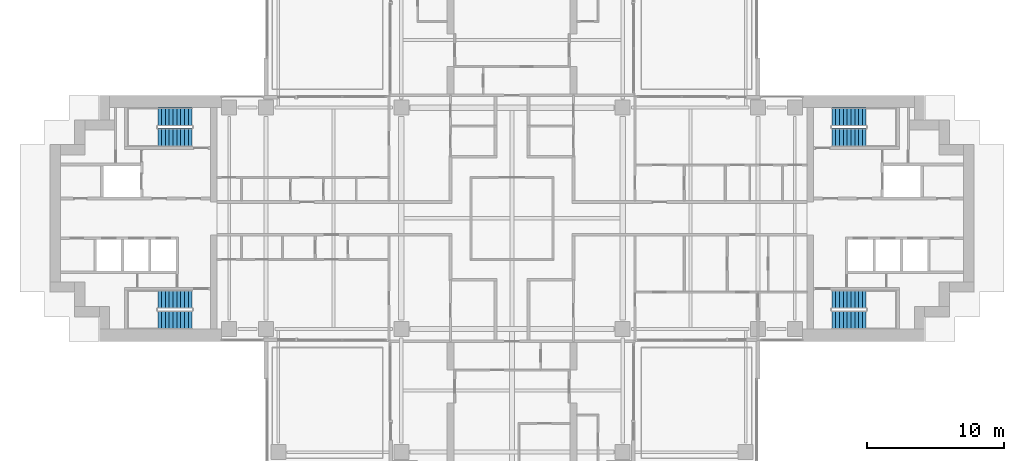
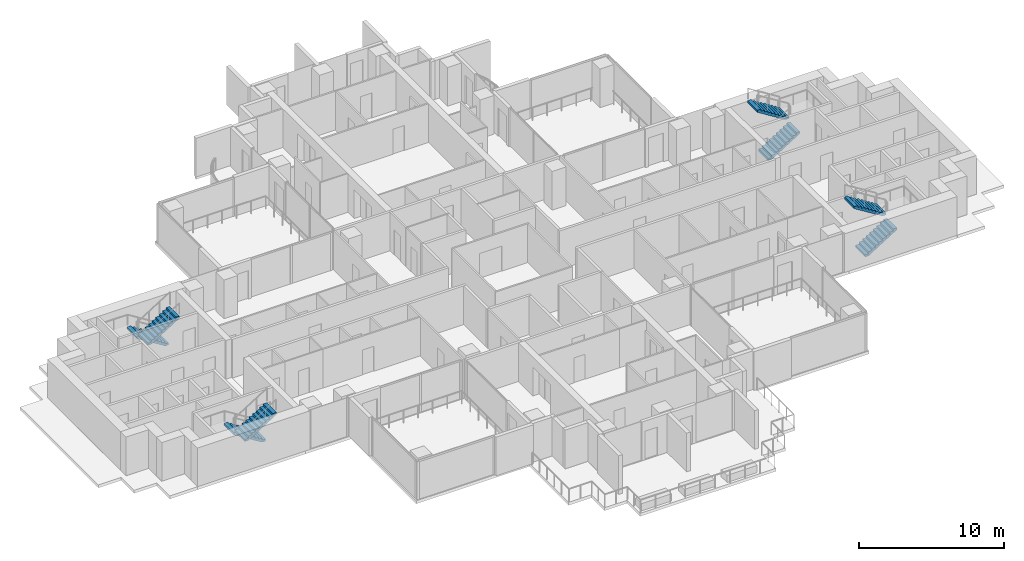
# One storey, part 17 of 20: 8 stair flights, 4 elements without a shape of their own.
"""IFC4 building model written with IfcOpenShell, lengths in metres."""

from ifc_helpers import new_model, si_unit, direction, frame, origin, place, context, subcontext, project, spatial, polyline, outline, extrude, material, type_object, element, aggregate, save


model = new_model("IFC4")

# Units and contexts
model_context = context("Model", 3, precision=1e-05, world=origin(), true_north=direction((0.0, 1.0)))
body_context = subcontext(model_context, "Body", "Model", "MODEL_VIEW")
ifc_project = project(units=[si_unit("LENGTHUNIT", "METRE"), si_unit("AREAUNIT", "SQUARE_METRE"), si_unit("VOLUMEUNIT", "CUBIC_METRE"), si_unit("PLANEANGLEUNIT", "RADIAN"), si_unit("MASSUNIT", "GRAM", prefix="KILO")], contexts=[model_context])

# Site, building, storey
site_placement = place(None, origin())
site = spatial("IfcSite", under=ifc_project, at=site_placement, CompositionType="ELEMENT")
building_placement = place(site_placement, origin())
building = spatial("IfcBuilding", under=site, at=building_placement, Name="Perihelion Cross Residences", CompositionType="ELEMENT")
storey_placement = place(building_placement, frame((0.0, 0.0, 102.39990234375)))
storey = spatial("IfcBuildingStorey", under=building, at=storey_placement, Name="L23", CompositionType="ELEMENT", Elevation=102.39990234375)

# Stair, stair flights
ifc_material_1 = material(Name="Concrete C40/50", Category="concrete")
stair_type = type_object("IfcStairType", Name="Exit stair, half-turn", PredefinedType="HALF_TURN_STAIR", material=ifc_material_1)
stair_1_placement = place(storey_placement, origin())
stair_1 = element("IfcStair", 1, at=stair_1_placement, inside=storey, type_object=stair_type, Name="L23 East core exit stair 1", PredefinedType="HALF_TURN_STAIR")
ifc_material_2 = material(Name="Concrete C40/50", Category="concrete")
stair_flight_type = type_object("IfcStairFlightType", Name="Exit stair flight", PredefinedType="STRAIGHT", material=ifc_material_2)
stair_flight_1_placement = place(storey_placement, frame((23.39990234375, 5.925048828125, 0.0), z_axis=(0.0, 0.0, 1.0), x_axis=(1.0, 0.0, 0.0)))
stair_flight_1 = element("IfcStairFlight", 2, at=stair_flight_1_placement, type_object=stair_flight_type, Name="ST-E1 flight 1", NumberOfRisers=10, NumberOfTreads=9, PredefinedType="STRAIGHT", RiserHeight=0.175, TreadLength=0.28, context=body_context, shape_type="SweptSolid", body=[
    extrude(outline(polyline([(0.0, 0.0), (0.0, 0.175048828125), (0.280029296875, 0.175048828125), (0.280029296875, 0.35009765625), (0.56005859375, 0.35009765625), (0.56005859375, 0.52490234375), (0.840087890625, 0.52490234375), (0.840087890625, 0.699951171875), (1.1201171875, 0.699951171875), (1.1201171875, 0.875), (1.39990234375, 0.875), (1.39990234375, 1.050048828125), (1.679931640625, 1.050048828125), (1.679931640625, 1.22509765625), (1.9599609375, 1.22509765625), (1.9599609375, 1.39990234375), (2.239990234375, 1.39990234375), (2.239990234375, 1.574951171875), (2.52001953125, 1.574951171875), (2.52001953125, 1.75), (2.52001953125, 1.398193359375), (0.28271484375, 0.0), (0.0, 0.0)])), frame((0.0, 0.675048828125, 0.0), z_axis=(0.0, -1.0, 0.0), x_axis=(1.0, 0.0, 0.0)), (0.0, 0.0, 1.0), 1.35009765625),
])
stair_flight_2_placement = place(storey_placement, frame((25.919921875, 7.425048828125, 1.75), z_axis=(0.0, 0.0, 1.0), x_axis=(-1.0, 0.0, 0.0)))
stair_flight_2 = element("IfcStairFlight", 3, at=stair_flight_2_placement, type_object=stair_flight_type, Name="ST-E1 flight 2", NumberOfRisers=10, NumberOfTreads=9, PredefinedType="STRAIGHT", RiserHeight=0.175, TreadLength=0.28, context=body_context, shape_type="SweptSolid", body=[
    extrude(outline(polyline([(0.0, 0.0), (0.0, 0.175048828125), (0.280029296875, 0.175048828125), (0.280029296875, 0.35009765625), (0.56005859375, 0.35009765625), (0.56005859375, 0.52490234375), (0.840087890625, 0.52490234375), (0.840087890625, 0.699951171875), (1.1201171875, 0.699951171875), (1.1201171875, 0.875), (1.39990234375, 0.875), (1.39990234375, 1.050048828125), (1.679931640625, 1.050048828125), (1.679931640625, 1.22509765625), (1.9599609375, 1.22509765625), (1.9599609375, 1.39990234375), (2.239990234375, 1.39990234375), (2.239990234375, 1.574951171875), (2.52001953125, 1.574951171875), (2.52001953125, 1.75), (2.52001953125, 1.398193359375), (0.28271484375, 0.0), (0.0, 0.0)])), frame((0.0, 0.675048828125, 0.0), z_axis=(0.0, -1.0, 0.0), x_axis=(1.0, 0.0, 0.0)), (0.0, 0.0, 1.0), 1.35009765625),
])
aggregate(stair_1, [stair_flight_1, stair_flight_2])

stair_2_placement = place(storey_placement, origin())
stair_2 = element("IfcStair", 4, at=stair_2_placement, inside=storey, type_object=stair_type, Name="L23 East core exit stair 2", PredefinedType="HALF_TURN_STAIR")
stair_flight_3_placement = place(storey_placement, frame((23.39990234375, -7.425048828125, 0.0), z_axis=(0.0, 0.0, 1.0), x_axis=(1.0, 0.0, 0.0)))
stair_flight_3 = element("IfcStairFlight", 5, at=stair_flight_3_placement, type_object=stair_flight_type, Name="ST-E2 flight 1", NumberOfRisers=10, NumberOfTreads=9, PredefinedType="STRAIGHT", RiserHeight=0.175, TreadLength=0.28, context=body_context, shape_type="SweptSolid", body=[
    extrude(outline(polyline([(0.0, 0.0), (0.0, 0.175048828125), (0.280029296875, 0.175048828125), (0.280029296875, 0.35009765625), (0.56005859375, 0.35009765625), (0.56005859375, 0.52490234375), (0.840087890625, 0.52490234375), (0.840087890625, 0.699951171875), (1.1201171875, 0.699951171875), (1.1201171875, 0.875), (1.39990234375, 0.875), (1.39990234375, 1.050048828125), (1.679931640625, 1.050048828125), (1.679931640625, 1.22509765625), (1.9599609375, 1.22509765625), (1.9599609375, 1.39990234375), (2.239990234375, 1.39990234375), (2.239990234375, 1.574951171875), (2.52001953125, 1.574951171875), (2.52001953125, 1.75), (2.52001953125, 1.398193359375), (0.28271484375, 0.0), (0.0, 0.0)])), frame((0.0, 0.675048828125, 0.0), z_axis=(0.0, -1.0, 0.0), x_axis=(1.0, 0.0, 0.0)), (0.0, 0.0, 1.0), 1.35009765625),
])
stair_flight_4_placement = place(storey_placement, frame((25.919921875, -5.925048828125, 1.75), z_axis=(0.0, 0.0, 1.0), x_axis=(-1.0, 0.0, 0.0)))
stair_flight_4 = element("IfcStairFlight", 6, at=stair_flight_4_placement, type_object=stair_flight_type, Name="ST-E2 flight 2", NumberOfRisers=10, NumberOfTreads=9, PredefinedType="STRAIGHT", RiserHeight=0.175, TreadLength=0.28, context=body_context, shape_type="SweptSolid", body=[
    extrude(outline(polyline([(0.0, 0.0), (0.0, 0.175048828125), (0.280029296875, 0.175048828125), (0.280029296875, 0.35009765625), (0.56005859375, 0.35009765625), (0.56005859375, 0.52490234375), (0.840087890625, 0.52490234375), (0.840087890625, 0.699951171875), (1.1201171875, 0.699951171875), (1.1201171875, 0.875), (1.39990234375, 0.875), (1.39990234375, 1.050048828125), (1.679931640625, 1.050048828125), (1.679931640625, 1.22509765625), (1.9599609375, 1.22509765625), (1.9599609375, 1.39990234375), (2.239990234375, 1.39990234375), (2.239990234375, 1.574951171875), (2.52001953125, 1.574951171875), (2.52001953125, 1.75), (2.52001953125, 1.398193359375), (0.28271484375, 0.0), (0.0, 0.0)])), frame((0.0, 0.675048828125, 0.0), z_axis=(0.0, -1.0, 0.0), x_axis=(1.0, 0.0, 0.0)), (0.0, 0.0, 1.0), 1.35009765625),
])
aggregate(stair_2, [stair_flight_3, stair_flight_4])

stair_3_placement = place(storey_placement, origin())
stair_3 = element("IfcStair", 7, at=stair_3_placement, inside=storey, type_object=stair_type, Name="L23 West core exit stair 1", PredefinedType="HALF_TURN_STAIR")
stair_flight_5_placement = place(storey_placement, frame((-23.39990234375, 7.425048828125, 0.0), z_axis=(0.0, 0.0, 1.0), x_axis=(-1.0, 0.0, 0.0)))
stair_flight_5 = element("IfcStairFlight", 8, at=stair_flight_5_placement, type_object=stair_flight_type, Name="ST-W1 flight 1", NumberOfRisers=10, NumberOfTreads=9, PredefinedType="STRAIGHT", RiserHeight=0.175, TreadLength=0.28, context=body_context, shape_type="SweptSolid", body=[
    extrude(outline(polyline([(0.0, 0.0), (0.0, 0.175048828125), (0.280029296875, 0.175048828125), (0.280029296875, 0.35009765625), (0.56005859375, 0.35009765625), (0.56005859375, 0.52490234375), (0.840087890625, 0.52490234375), (0.840087890625, 0.699951171875), (1.1201171875, 0.699951171875), (1.1201171875, 0.875), (1.39990234375, 0.875), (1.39990234375, 1.050048828125), (1.679931640625, 1.050048828125), (1.679931640625, 1.22509765625), (1.9599609375, 1.22509765625), (1.9599609375, 1.39990234375), (2.239990234375, 1.39990234375), (2.239990234375, 1.574951171875), (2.52001953125, 1.574951171875), (2.52001953125, 1.75), (2.52001953125, 1.398193359375), (0.28271484375, 0.0), (0.0, 0.0)])), frame((0.0, 0.675048828125, 0.0), z_axis=(0.0, -1.0, 0.0), x_axis=(1.0, 0.0, 0.0)), (0.0, 0.0, 1.0), 1.35009765625),
])
stair_flight_6_placement = place(storey_placement, frame((-25.919921875, 5.925048828125, 1.75), z_axis=(0.0, 0.0, 1.0), x_axis=(1.0, 0.0, 0.0)))
stair_flight_6 = element("IfcStairFlight", 9, at=stair_flight_6_placement, type_object=stair_flight_type, Name="ST-W1 flight 2", NumberOfRisers=10, NumberOfTreads=9, PredefinedType="STRAIGHT", RiserHeight=0.175, TreadLength=0.28, context=body_context, shape_type="SweptSolid", body=[
    extrude(outline(polyline([(0.0, 0.0), (0.0, 0.175048828125), (0.280029296875, 0.175048828125), (0.280029296875, 0.35009765625), (0.56005859375, 0.35009765625), (0.56005859375, 0.52490234375), (0.840087890625, 0.52490234375), (0.840087890625, 0.699951171875), (1.1201171875, 0.699951171875), (1.1201171875, 0.875), (1.39990234375, 0.875), (1.39990234375, 1.050048828125), (1.679931640625, 1.050048828125), (1.679931640625, 1.22509765625), (1.9599609375, 1.22509765625), (1.9599609375, 1.39990234375), (2.239990234375, 1.39990234375), (2.239990234375, 1.574951171875), (2.52001953125, 1.574951171875), (2.52001953125, 1.75), (2.52001953125, 1.398193359375), (0.28271484375, 0.0), (0.0, 0.0)])), frame((0.0, 0.675048828125, 0.0), z_axis=(0.0, -1.0, 0.0), x_axis=(1.0, 0.0, 0.0)), (0.0, 0.0, 1.0), 1.35009765625),
])
aggregate(stair_3, [stair_flight_5, stair_flight_6])

stair_4_placement = place(storey_placement, origin())
stair_4 = element("IfcStair", 10, at=stair_4_placement, inside=storey, type_object=stair_type, Name="L23 West core exit stair 2", PredefinedType="HALF_TURN_STAIR")
stair_flight_7_placement = place(storey_placement, frame((-23.39990234375, -5.925048828125, 0.0), z_axis=(0.0, 0.0, 1.0), x_axis=(-1.0, 0.0, 0.0)))
stair_flight_7 = element("IfcStairFlight", 11, at=stair_flight_7_placement, type_object=stair_flight_type, Name="ST-W2 flight 1", NumberOfRisers=10, NumberOfTreads=9, PredefinedType="STRAIGHT", RiserHeight=0.175, TreadLength=0.28, context=body_context, shape_type="SweptSolid", body=[
    extrude(outline(polyline([(0.0, 0.0), (0.0, 0.175048828125), (0.280029296875, 0.175048828125), (0.280029296875, 0.35009765625), (0.56005859375, 0.35009765625), (0.56005859375, 0.52490234375), (0.840087890625, 0.52490234375), (0.840087890625, 0.699951171875), (1.1201171875, 0.699951171875), (1.1201171875, 0.875), (1.39990234375, 0.875), (1.39990234375, 1.050048828125), (1.679931640625, 1.050048828125), (1.679931640625, 1.22509765625), (1.9599609375, 1.22509765625), (1.9599609375, 1.39990234375), (2.239990234375, 1.39990234375), (2.239990234375, 1.574951171875), (2.52001953125, 1.574951171875), (2.52001953125, 1.75), (2.52001953125, 1.398193359375), (0.28271484375, 0.0), (0.0, 0.0)])), frame((0.0, 0.675048828125, 0.0), z_axis=(0.0, -1.0, 0.0), x_axis=(1.0, 0.0, 0.0)), (0.0, 0.0, 1.0), 1.35009765625),
])
stair_flight_8_placement = place(storey_placement, frame((-25.919921875, -7.425048828125, 1.75), z_axis=(0.0, 0.0, 1.0), x_axis=(1.0, 0.0, 0.0)))
stair_flight_8 = element("IfcStairFlight", 12, at=stair_flight_8_placement, type_object=stair_flight_type, Name="ST-W2 flight 2", NumberOfRisers=10, NumberOfTreads=9, PredefinedType="STRAIGHT", RiserHeight=0.175, TreadLength=0.28, context=body_context, shape_type="SweptSolid", body=[
    extrude(outline(polyline([(0.0, 0.0), (0.0, 0.175048828125), (0.280029296875, 0.175048828125), (0.280029296875, 0.35009765625), (0.56005859375, 0.35009765625), (0.56005859375, 0.52490234375), (0.840087890625, 0.52490234375), (0.840087890625, 0.699951171875), (1.1201171875, 0.699951171875), (1.1201171875, 0.875), (1.39990234375, 0.875), (1.39990234375, 1.050048828125), (1.679931640625, 1.050048828125), (1.679931640625, 1.22509765625), (1.9599609375, 1.22509765625), (1.9599609375, 1.39990234375), (2.239990234375, 1.39990234375), (2.239990234375, 1.574951171875), (2.52001953125, 1.574951171875), (2.52001953125, 1.75), (2.52001953125, 1.398193359375), (0.28271484375, 0.0), (0.0, 0.0)])), frame((0.0, 0.675048828125, 0.0), z_axis=(0.0, -1.0, 0.0), x_axis=(1.0, 0.0, 0.0)), (0.0, 0.0, 1.0), 1.35009765625),
])
aggregate(stair_4, [stair_flight_7, stair_flight_8])

save(model, "model.ifc")
